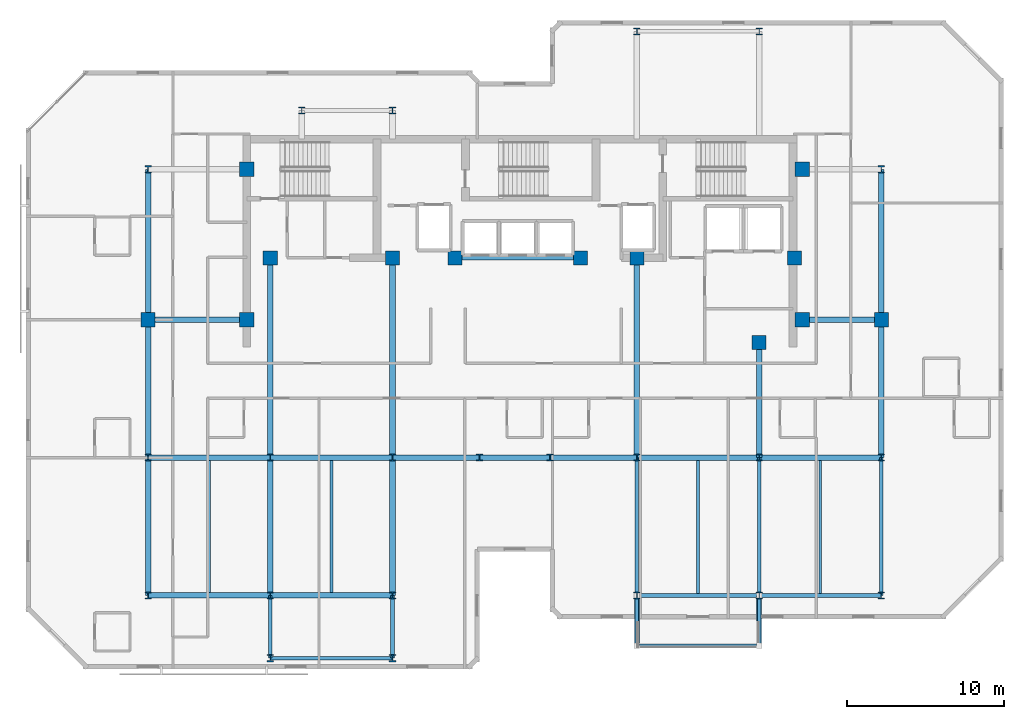
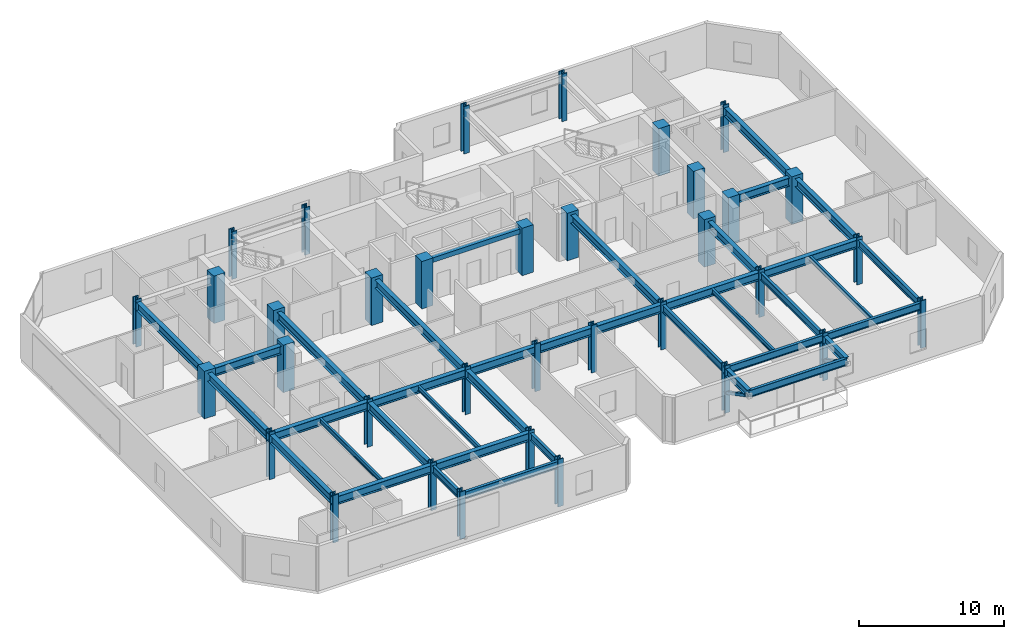
# One storey, part 1 of 10: 38 beams, 35 columns, 2 members.
"""IFC4 building model written with IfcOpenShell, lengths in metres."""

from ifc_helpers import new_model, si_unit, direction, frame, origin, origin_2d, place, context, subcontext, project, spatial, rectangle, hollow_rectangle, i_section, extrude, material, material_profile, profile_set, type_object, element, save


model = new_model("IFC4")

# Units and contexts
model_context = context("Model", 3, precision=1e-05, world=origin(), true_north=direction((0.0, 1.0)))
body_context = subcontext(model_context, "Body", "Model", "MODEL_VIEW")
ifc_project = project(units=[si_unit("LENGTHUNIT", "METRE"), si_unit("AREAUNIT", "SQUARE_METRE"), si_unit("VOLUMEUNIT", "CUBIC_METRE"), si_unit("PLANEANGLEUNIT", "RADIAN"), si_unit("MASSUNIT", "GRAM", prefix="KILO")], contexts=[model_context])

# Site, building, storey
site_placement = place(None, origin())
site = spatial("IfcSite", under=ifc_project, at=site_placement, CompositionType="ELEMENT")
building_placement = place(site_placement, origin())
building = spatial("IfcBuilding", under=site, at=building_placement, Name="Kestravale Grand Hotel", CompositionType="ELEMENT")
storey_placement = place(building_placement, frame((0.0, 0.0, 285.39990234375)))
storey = spatial("IfcBuildingStorey", under=building, at=storey_placement, Name="L71", CompositionType="ELEMENT", Elevation=285.39990234375)

# Columns
ifc_material_1 = material(Name="Concrete f'c 50 MPa", Category="concrete")
ifc_material_profile_1 = material_profile(ifc_material_1, rectangle(XDim=0.89990234375, YDim=0.89990234375, at=origin_2d()))
ifc_profile_set_1 = profile_set([ifc_material_profile_1], Name="Concrete f'c 50 MPa")
column_type_1 = type_object("IfcColumnType", Name="C-Z4-900", PredefinedType="COLUMN", material=ifc_profile_set_1)
for number, where, z_axis, x_axis, name in (
    (1, (15.60009765625, 28.800048828125, 0.0), (0.0, 0.0, 1.0), (1.0, 0.0, 0.0), "L71 column 3-E"),
    (2, (62.39990234375, 28.800048828125, 0.0), (0.0, 0.0, 1.0), (1.0, 0.0, 0.0), "L71 column 10-E"),
    (3, (21.89990234375, 28.800048828125, 0.0), (0.0, 0.0, 1.0), (1.0, 0.0, 0.0), "L71 column CW-E"),
    (4, (21.89990234375, 38.39990234375, 0.0), (0.0, 0.0, 1.0), (1.0, 0.0, 0.0), "L71 column CW-F"),
    (5, (57.35009765625, 28.800048828125, 0.0), (0.0, 0.0, 1.0), (1.0, 0.0, 0.0), "L71 column CE-E"),
    (6, (57.35009765625, 38.39990234375, 0.0), (0.0, 0.0, 1.0), (1.0, 0.0, 0.0), "L71 column CE-F"),
    (7, (23.39990234375, 32.75, 0.0), (0.0, 0.0, 1.0), (1.0, 0.0, 0.0), "L71 column 4-CS"),
    (8, (31.199951171875, 32.75, 0.0), (0.0, 0.0, 1.0), (1.0, 0.0, 0.0), "L71 column 5-CS"),
    (9, (35.199951171875, 32.75, 0.0), (0.0, 0.0, 1.0), (1.0, 0.0, 0.0), "L71 column 6C-CS"),
    (10, (43.199951171875, 32.75, 0.0), (0.0, 0.0, 1.0), (1.0, 0.0, 0.0), "L71 column 7C-CS"),
    (11, (46.800048828125, 32.75, 0.0), (0.0, 0.0, 1.0), (1.0, 0.0, 0.0), "L71 column 8-CS"),
    (12, (54.60009765625, 27.35009765625, 0.0), (0.0, 0.0, 1.0), (1.0, 0.0, 0.0), "L71 column 9-CS"),
    (13, (56.85009765625, 32.75, 0.0), (0.0, 0.0, 1.0), (1.0, 0.0, 0.0), "L71 column 9C-CS"),
):
    element("IfcColumn", number, at=place(storey_placement, frame(where, z_axis=z_axis, x_axis=x_axis)), inside=storey, type_object=column_type_1, Name=name, PredefinedType="COLUMN", context=body_context, shape_type="SweptSolid", body=[
        extrude(rectangle(XDim=0.89990234375, YDim=0.89990234375, at=origin_2d()), origin(), (0.0, 0.0, 1.0), 4.0),
    ])
ifc_material_2 = material(Name="Steel ASTM A992 Grade 50", Category="steel")
ifc_material_profile_2 = material_profile(ifc_material_2, i_section(OverallWidth=0.422119140625, OverallDepth=0.465087890625, WebThickness=0.044921875, FlangeThickness=0.072509765625, FilletRadius=0.0166015625, at=origin_2d()))
ifc_profile_set_2 = profile_set([ifc_material_profile_2], Name="Steel ASTM A992 Grade 50")
column_type_2 = type_object("IfcColumnType", Name="C-Z4-W14X398", PredefinedType="COLUMN", material=ifc_profile_set_2)
for number, where, z_axis, x_axis, name in (
    (14, (15.60009765625, 11.199951171875, 0.0), (0.0, 0.0, 1.0), (1.0, 0.0, 0.0), "L71 column 3-C"),
    (15, (15.60009765625, 20.0, 0.0), (0.0, 0.0, 1.0), (1.0, 0.0, 0.0), "L71 column 3-D"),
    (16, (15.60009765625, 38.39990234375, 0.0), (0.0, 0.0, 1.0), (1.0, 0.0, 0.0), "L71 column 3-F"),
    (17, (23.39990234375, 11.199951171875, 0.0), (0.0, 0.0, 1.0), (1.0, 0.0, 0.0), "L71 column 4-C"),
    (18, (23.39990234375, 20.0, 0.0), (0.0, 0.0, 1.0), (1.0, 0.0, 0.0), "L71 column 4-D"),
    (19, (31.199951171875, 11.199951171875, 0.0), (0.0, 0.0, 1.0), (1.0, 0.0, 0.0), "L71 column 5-C"),
    (20, (31.199951171875, 20.0, 0.0), (0.0, 0.0, 1.0), (1.0, 0.0, 0.0), "L71 column 5-D"),
    (21, (36.75, 20.0, 0.0), (0.0, 0.0, 1.0), (1.0, 0.0, 0.0), "L71 column 6-D"),
    (22, (41.25, 20.0, 0.0), (0.0, 0.0, 1.0), (1.0, 0.0, 0.0), "L71 column 7-D"),
    (23, (46.800048828125, 11.199951171875, 0.0), (0.0, 0.0, 1.0), (1.0, 0.0, 0.0), "L71 column 8-C"),
    (24, (46.800048828125, 20.0, 0.0), (0.0, 0.0, 1.0), (1.0, 0.0, 0.0), "L71 column 8-D"),
    (25, (46.800048828125, 47.199951171875, 0.0), (0.0, 0.0, 1.0), (1.0, 0.0, 0.0), "L71 column 8-G"),
    (26, (54.60009765625, 11.199951171875, 0.0), (0.0, 0.0, 1.0), (1.0, 0.0, 0.0), "L71 column 9-C"),
    (27, (54.60009765625, 20.0, 0.0), (0.0, 0.0, 1.0), (1.0, 0.0, 0.0), "L71 column 9-D"),
    (28, (54.60009765625, 47.199951171875, 0.0), (0.0, 0.0, 1.0), (1.0, 0.0, 0.0), "L71 column 9-G"),
    (29, (62.39990234375, 11.199951171875, 0.0), (0.0, 0.0, 1.0), (1.0, 0.0, 0.0), "L71 column 10-C"),
    (30, (62.39990234375, 20.0, 0.0), (0.0, 0.0, 1.0), (1.0, 0.0, 0.0), "L71 column 10-D"),
    (31, (62.39990234375, 38.39990234375, 0.0), (0.0, 0.0, 1.0), (1.0, 0.0, 0.0), "L71 column 10-F"),
    (32, (23.39990234375, 7.199951171875, 0.0), (0.0, 0.0, 1.0), (1.0, 0.0, 0.0), "L71 column 4-BS"),
    (33, (31.199951171875, 7.199951171875, 0.0), (0.0, 0.0, 1.0), (1.0, 0.0, 0.0), "L71 column 5-BS"),
    (34, (25.39990234375, 42.14990234375, 0.0), (0.0, 0.0, 1.0), (1.0, 0.0, 0.0), "L71 column 4-FN"),
    (35, (31.199951171875, 42.14990234375, 0.0), (0.0, 0.0, 1.0), (1.0, 0.0, 0.0), "L71 column 5-FN"),
):
    element("IfcColumn", number, at=place(storey_placement, frame(where, z_axis=z_axis, x_axis=x_axis)), inside=storey, type_object=column_type_2, Name=name, PredefinedType="COLUMN", context=body_context, shape_type="SweptSolid", body=[
        extrude(i_section(OverallWidth=0.422119140625, OverallDepth=0.465087890625, WebThickness=0.044921875, FlangeThickness=0.072509765625, FilletRadius=0.0166015625, at=origin_2d()), origin(), (0.0, 0.0, 1.0), 4.0),
    ])

# Beams
ifc_material_3 = material(Name="Steel ASTM A992 Grade 50", Category="steel")
ifc_material_profile_3 = material_profile(ifc_material_3, i_section(OverallWidth=0.177978515625, OverallDepth=0.404052734375, WebThickness=0.007568359375, FlangeThickness=0.010986328125, FilletRadius=0.01416015625, at=origin_2d()))
ifc_profile_set_3 = profile_set([ifc_material_profile_3], Name="Steel ASTM A992 Grade 50")
beam_type_1 = type_object("IfcBeamType", Name="B-FLR-JST16", PredefinedType="JOIST", material=ifc_profile_set_3)
for number, where, z_axis, x_axis, name in (
    (36, (19.5, 11.3779296875, 3.55810546875), (0.0, 1.0, 0.0), (-1.0, 0.0, 0.0), "L71 floor joist 3-4/C-D #1"),
    (37, (27.300048828125, 11.3779296875, 3.55810546875), (0.0, 1.0, 0.0), (-1.0, 0.0, 0.0), "L71 floor joist 4-5/C-D #1"),
):
    element("IfcBeam", number, at=place(storey_placement, frame(where, z_axis=z_axis, x_axis=x_axis)), inside=storey, type_object=beam_type_1, Name=name, PredefinedType="JOIST", context=body_context, shape_type="SweptSolid", body=[
        extrude(i_section(OverallWidth=0.177978515625, OverallDepth=0.404052734375, WebThickness=0.007568359375, FlangeThickness=0.010986328125, FilletRadius=0.01416015625, at=origin_2d()), origin(), (0.0, 0.0, 1.0), 8.444091796875),
    ])
for number, where, z_axis, x_axis, name in (
    (38, (50.699951171875, 11.314453125, 3.55810546875), (0.0, 1.0, 0.0), (-1.0, 0.0, 0.0), "L71 floor joist 8-9/C-D #1"),
    (39, (58.5, 11.314453125, 3.55810546875), (0.0, 1.0, 0.0), (-1.0, 0.0, 0.0), "L71 floor joist 9-10/C-D #1"),
):
    element("IfcBeam", number, at=place(storey_placement, frame(where, z_axis=z_axis, x_axis=x_axis)), inside=storey, type_object=beam_type_1, Name=name, PredefinedType="JOIST", context=body_context, shape_type="SweptSolid", body=[
        extrude(i_section(OverallWidth=0.177978515625, OverallDepth=0.404052734375, WebThickness=0.007568359375, FlangeThickness=0.010986328125, FilletRadius=0.01416015625, at=origin_2d()), origin(), (0.0, 0.0, 1.0), 8.507568359375),
    ])
ifc_material_4 = material(Name="Concrete f'c 45 MPa", Category="concrete")
ifc_material_profile_4 = material_profile(ifc_material_4, rectangle(XDim=0.300048828125, YDim=0.39990234375, at=origin_2d()))
ifc_profile_set_4 = profile_set([ifc_material_profile_4], Name="Concrete f'c 45 MPa")
beam_type_2 = type_object("IfcBeamType", Name="B-FLR-LNT400", PredefinedType="LINTEL", material=ifc_profile_set_4)
beam_1_placement = place(storey_placement, frame((35.199951171875, 32.75, 3.56005859375), z_axis=(1.0, 0.0, 0.0), x_axis=(0.0, 1.0, 0.0)))
element("IfcBeam", 40, at=beam_1_placement, inside=storey, type_object=beam_type_2, Name="L71 core portal header lintel", PredefinedType="LINTEL", context=body_context, shape_type="SweptSolid", body=[
    extrude(rectangle(XDim=0.300048828125, YDim=0.39990234375, at=origin_2d()), origin(), (0.0, 0.0, 1.0), 8.0),
])
ifc_material_5 = material(Name="Steel ASTM A992 Grade 50", Category="steel")
ifc_material_profile_5 = material_profile(ifc_material_5, i_section(OverallWidth=0.324951171875, OverallDepth=0.612060546875, WebThickness=0.0126953125, FlangeThickness=0.01904296875, FilletRadius=0.018798828125, at=origin_2d()))
ifc_profile_set_5 = profile_set([ifc_material_profile_5], Name="Steel ASTM A992 Grade 50")
beam_type_3 = type_object("IfcBeamType", Name="B-FLR-W24A", PredefinedType="SPANDREL", material=ifc_profile_set_5)
for number, where, z_axis, x_axis, name in (
    (41, (46.800048828125, 11.199951171875, 3.424072265625), (0.0, -1.0, 0.0), (1.0, 0.0, 0.0), "L72 terrace cantilever beam 1"),
    (42, (54.60009765625, 11.199951171875, 3.424072265625), (0.0, -1.0, 0.0), (1.0, 0.0, 0.0), "L72 terrace cantilever beam 2"),
):
    element("IfcBeam", number, at=place(storey_placement, frame(where, z_axis=z_axis, x_axis=x_axis)), inside=storey, type_object=beam_type_3, Name=name, PredefinedType="SPANDREL", context=body_context, shape_type="SweptSolid", body=[
        extrude(i_section(OverallWidth=0.324951171875, OverallDepth=0.612060546875, WebThickness=0.0126953125, FlangeThickness=0.01904296875, FilletRadius=0.018798828125, at=origin_2d()), origin(), (0.0, 0.0, 1.0), 3.199951171875),
    ])
ifc_material_6 = material(Name="Steel ASTM A992 Grade 50", Category="steel")
ifc_material_profile_6 = material_profile(ifc_material_6, i_section(OverallWidth=0.22900390625, OverallDepth=0.612060546875, WebThickness=0.011962890625, FlangeThickness=0.01953125, FilletRadius=0.019287109375, at=origin_2d()))
ifc_profile_set_6 = profile_set([ifc_material_profile_6], Name="Steel ASTM A992 Grade 50")
beam_type_4 = type_object("IfcBeamType", Name="B-FLR-W24B", PredefinedType="SPANDREL", material=ifc_profile_set_6)
beam_2_placement = place(storey_placement, frame((46.800048828125, 11.199951171875, 3.4541015625), z_axis=(1.0, 0.0, 0.0), x_axis=(0.0, 1.0, 0.0)))
element("IfcBeam", 43, at=beam_2_placement, inside=storey, type_object=beam_type_4, Name="L71 spandrel C:8-9", PredefinedType="SPANDREL", context=body_context, shape_type="SweptSolid", body=[
    extrude(i_section(OverallWidth=0.22900390625, OverallDepth=0.612060546875, WebThickness=0.011962890625, FlangeThickness=0.01953125, FilletRadius=0.019287109375, at=origin_2d()), origin(), (0.0, 0.0, 1.0), 7.800048828125),
])
beam_3_placement = place(storey_placement, frame((54.60009765625, 11.199951171875, 3.4541015625), z_axis=(1.0, 0.0, 0.0), x_axis=(0.0, 1.0, 0.0)))
element("IfcBeam", 44, at=beam_3_placement, inside=storey, type_object=beam_type_4, Name="L71 spandrel C:9-10", PredefinedType="SPANDREL", context=body_context, shape_type="SweptSolid", body=[
    extrude(i_section(OverallWidth=0.22900390625, OverallDepth=0.612060546875, WebThickness=0.011962890625, FlangeThickness=0.01953125, FilletRadius=0.019287109375, at=origin_2d()), origin(), (0.0, 0.0, 1.0), 7.7998046875),
])
beam_4_placement = place(storey_placement, frame((23.39990234375, 7.199951171875, 3.4541015625), z_axis=(1.0, 0.0, 0.0), x_axis=(0.0, 1.0, 0.0)))
element("IfcBeam", 45, at=beam_4_placement, inside=storey, type_object=beam_type_4, Name="L71 perimeter tie spandrel BS:4-5", PredefinedType="SPANDREL", context=body_context, shape_type="SweptSolid", body=[
    extrude(i_section(OverallWidth=0.22900390625, OverallDepth=0.612060546875, WebThickness=0.011962890625, FlangeThickness=0.01953125, FilletRadius=0.019287109375, at=origin_2d()), origin(), (0.0, 0.0, 1.0), 7.800048828125),
])
for number, where, z_axis, x_axis, name in (
    (46, (23.39990234375, 7.199951171875, 3.4541015625), (0.0, 1.0, 0.0), (-1.0, 0.0, 0.0), "L71 spandrel 4:BS-C"),
    (47, (31.199951171875, 7.199951171875, 3.4541015625), (0.0, 1.0, 0.0), (-1.0, 0.0, 0.0), "L71 spandrel 5:BS-C"),
):
    element("IfcBeam", number, at=place(storey_placement, frame(where, z_axis=z_axis, x_axis=x_axis)), inside=storey, type_object=beam_type_4, Name=name, PredefinedType="SPANDREL", context=body_context, shape_type="SweptSolid", body=[
        extrude(i_section(OverallWidth=0.22900390625, OverallDepth=0.612060546875, WebThickness=0.011962890625, FlangeThickness=0.01953125, FilletRadius=0.019287109375, at=origin_2d()), origin(), (0.0, 0.0, 1.0), 4.0),
    ])
for number, where, z_axis, x_axis, name in (
    (48, (46.800048828125, 11.199951171875, 3.4541015625), (0.0, 1.0, 0.0), (-1.0, 0.0, 0.0), "L71 spandrel 8:C-D"),
    (49, (54.60009765625, 11.199951171875, 3.4541015625), (0.0, 1.0, 0.0), (-1.0, 0.0, 0.0), "L71 spandrel 9:C-D"),
    (50, (62.39990234375, 11.199951171875, 3.4541015625), (0.0, 1.0, 0.0), (-1.0, 0.0, 0.0), "L71 spandrel 10:C-D"),
):
    element("IfcBeam", number, at=place(storey_placement, frame(where, z_axis=z_axis, x_axis=x_axis)), inside=storey, type_object=beam_type_4, Name=name, PredefinedType="SPANDREL", context=body_context, shape_type="SweptSolid", body=[
        extrude(i_section(OverallWidth=0.22900390625, OverallDepth=0.612060546875, WebThickness=0.011962890625, FlangeThickness=0.01953125, FilletRadius=0.019287109375, at=origin_2d()), origin(), (0.0, 0.0, 1.0), 8.800048828125),
    ])
beam_5_placement = place(storey_placement, frame((46.800048828125, 8.0, 3.424072265625), z_axis=(1.0, 0.0, 0.0), x_axis=(0.0, 1.0, 0.0)))
element("IfcBeam", 51, at=beam_5_placement, inside=storey, type_object=beam_type_4, Name="L72 terrace edge spandrel", PredefinedType="SPANDREL", context=body_context, shape_type="SweptSolid", body=[
    extrude(i_section(OverallWidth=0.22900390625, OverallDepth=0.612060546875, WebThickness=0.011962890625, FlangeThickness=0.01953125, FilletRadius=0.019287109375, at=origin_2d()), origin(), (0.0, 0.0, 1.0), 7.800048828125),
])
ifc_material_7 = material(Name="Steel ASTM A992 Grade 50", Category="steel")
ifc_material_profile_7 = material_profile(ifc_material_7, i_section(OverallWidth=0.35595703125, OverallDepth=0.696044921875, WebThickness=0.015380859375, FlangeThickness=0.02490234375, FilletRadius=0.021240234375, at=origin_2d()))
ifc_profile_set_7 = profile_set([ifc_material_profile_7], Name="Steel ASTM A992 Grade 50")
beam_type_5 = type_object("IfcBeamType", Name="B-GRD-W27", PredefinedType="BEAM", material=ifc_profile_set_7)
beam_6_placement = place(storey_placement, frame((15.60009765625, 11.199951171875, 3.412109375), z_axis=(1.0, 0.0, 0.0), x_axis=(0.0, 1.0, 0.0)))
element("IfcBeam", 52, at=beam_6_placement, inside=storey, type_object=beam_type_5, Name="L71 girder C:3-4", PredefinedType="BEAM", context=body_context, shape_type="SweptSolid", body=[
    extrude(i_section(OverallWidth=0.35595703125, OverallDepth=0.696044921875, WebThickness=0.015380859375, FlangeThickness=0.02490234375, FilletRadius=0.021240234375, at=origin_2d()), origin(), (0.0, 0.0, 1.0), 7.7998046875),
])
beam_7_placement = place(storey_placement, frame((23.39990234375, 11.199951171875, 3.412109375), z_axis=(1.0, 0.0, 0.0), x_axis=(0.0, 1.0, 0.0)))
element("IfcBeam", 53, at=beam_7_placement, inside=storey, type_object=beam_type_5, Name="L71 girder C:4-5", PredefinedType="BEAM", context=body_context, shape_type="SweptSolid", body=[
    extrude(i_section(OverallWidth=0.35595703125, OverallDepth=0.696044921875, WebThickness=0.015380859375, FlangeThickness=0.02490234375, FilletRadius=0.021240234375, at=origin_2d()), origin(), (0.0, 0.0, 1.0), 7.800048828125),
])
beam_8_placement = place(storey_placement, frame((15.60009765625, 20.0, 3.412109375), z_axis=(1.0, 0.0, 0.0), x_axis=(0.0, 1.0, 0.0)))
element("IfcBeam", 54, at=beam_8_placement, inside=storey, type_object=beam_type_5, Name="L71 girder D:3-4", PredefinedType="BEAM", context=body_context, shape_type="SweptSolid", body=[
    extrude(i_section(OverallWidth=0.35595703125, OverallDepth=0.696044921875, WebThickness=0.015380859375, FlangeThickness=0.02490234375, FilletRadius=0.021240234375, at=origin_2d()), origin(), (0.0, 0.0, 1.0), 7.7998046875),
])
beam_9_placement = place(storey_placement, frame((23.39990234375, 20.0, 3.412109375), z_axis=(1.0, 0.0, 0.0), x_axis=(0.0, 1.0, 0.0)))
element("IfcBeam", 55, at=beam_9_placement, inside=storey, type_object=beam_type_5, Name="L71 girder D:4-5", PredefinedType="BEAM", context=body_context, shape_type="SweptSolid", body=[
    extrude(i_section(OverallWidth=0.35595703125, OverallDepth=0.696044921875, WebThickness=0.015380859375, FlangeThickness=0.02490234375, FilletRadius=0.021240234375, at=origin_2d()), origin(), (0.0, 0.0, 1.0), 7.800048828125),
])
beam_10_placement = place(storey_placement, frame((31.199951171875, 20.0, 3.412109375), z_axis=(1.0, 0.0, 0.0), x_axis=(0.0, 1.0, 0.0)))
element("IfcBeam", 56, at=beam_10_placement, inside=storey, type_object=beam_type_5, Name="L71 girder D:5-6", PredefinedType="BEAM", context=body_context, shape_type="SweptSolid", body=[
    extrude(i_section(OverallWidth=0.35595703125, OverallDepth=0.696044921875, WebThickness=0.015380859375, FlangeThickness=0.02490234375, FilletRadius=0.021240234375, at=origin_2d()), origin(), (0.0, 0.0, 1.0), 5.550048828125),
])
beam_11_placement = place(storey_placement, frame((36.75, 20.0, 3.412109375), z_axis=(1.0, 0.0, 0.0), x_axis=(0.0, 1.0, 0.0)))
element("IfcBeam", 57, at=beam_11_placement, inside=storey, type_object=beam_type_5, Name="L71 girder D:6-7", PredefinedType="BEAM", context=body_context, shape_type="SweptSolid", body=[
    extrude(i_section(OverallWidth=0.35595703125, OverallDepth=0.696044921875, WebThickness=0.015380859375, FlangeThickness=0.02490234375, FilletRadius=0.021240234375, at=origin_2d()), origin(), (0.0, 0.0, 1.0), 4.5),
])
beam_12_placement = place(storey_placement, frame((41.25, 20.0, 3.412109375), z_axis=(1.0, 0.0, 0.0), x_axis=(0.0, 1.0, 0.0)))
element("IfcBeam", 58, at=beam_12_placement, inside=storey, type_object=beam_type_5, Name="L71 girder D:7-8", PredefinedType="BEAM", context=body_context, shape_type="SweptSolid", body=[
    extrude(i_section(OverallWidth=0.35595703125, OverallDepth=0.696044921875, WebThickness=0.015380859375, FlangeThickness=0.02490234375, FilletRadius=0.021240234375, at=origin_2d()), origin(), (0.0, 0.0, 1.0), 5.550048828125),
])
beam_13_placement = place(storey_placement, frame((46.800048828125, 20.0, 3.412109375), z_axis=(1.0, 0.0, 0.0), x_axis=(0.0, 1.0, 0.0)))
element("IfcBeam", 59, at=beam_13_placement, inside=storey, type_object=beam_type_5, Name="L71 girder D:8-9", PredefinedType="BEAM", context=body_context, shape_type="SweptSolid", body=[
    extrude(i_section(OverallWidth=0.35595703125, OverallDepth=0.696044921875, WebThickness=0.015380859375, FlangeThickness=0.02490234375, FilletRadius=0.021240234375, at=origin_2d()), origin(), (0.0, 0.0, 1.0), 7.800048828125),
])
beam_14_placement = place(storey_placement, frame((54.60009765625, 20.0, 3.412109375), z_axis=(1.0, 0.0, 0.0), x_axis=(0.0, 1.0, 0.0)))
element("IfcBeam", 60, at=beam_14_placement, inside=storey, type_object=beam_type_5, Name="L71 girder D:9-10", PredefinedType="BEAM", context=body_context, shape_type="SweptSolid", body=[
    extrude(i_section(OverallWidth=0.35595703125, OverallDepth=0.696044921875, WebThickness=0.015380859375, FlangeThickness=0.02490234375, FilletRadius=0.021240234375, at=origin_2d()), origin(), (0.0, 0.0, 1.0), 7.7998046875),
])
beam_15_placement = place(storey_placement, frame((15.60009765625, 28.800048828125, 3.412109375), z_axis=(1.0, 0.0, 0.0), x_axis=(0.0, 1.0, 0.0)))
element("IfcBeam", 61, at=beam_15_placement, inside=storey, type_object=beam_type_5, Name="L71 girder E:3-CW", PredefinedType="BEAM", context=body_context, shape_type="SweptSolid", body=[
    extrude(i_section(OverallWidth=0.35595703125, OverallDepth=0.696044921875, WebThickness=0.015380859375, FlangeThickness=0.02490234375, FilletRadius=0.021240234375, at=origin_2d()), origin(), (0.0, 0.0, 1.0), 6.2998046875),
])
beam_16_placement = place(storey_placement, frame((57.35009765625, 28.800048828125, 3.412109375), z_axis=(1.0, 0.0, 0.0), x_axis=(0.0, 1.0, 0.0)))
element("IfcBeam", 62, at=beam_16_placement, inside=storey, type_object=beam_type_5, Name="L71 girder E:CE-10", PredefinedType="BEAM", context=body_context, shape_type="SweptSolid", body=[
    extrude(i_section(OverallWidth=0.35595703125, OverallDepth=0.696044921875, WebThickness=0.015380859375, FlangeThickness=0.02490234375, FilletRadius=0.021240234375, at=origin_2d()), origin(), (0.0, 0.0, 1.0), 5.0498046875),
])
for number, where, z_axis, x_axis, name in (
    (63, (15.60009765625, 11.199951171875, 3.412109375), (0.0, 1.0, 0.0), (-1.0, 0.0, 0.0), "L71 girder 3:C-D"),
    (64, (15.60009765625, 20.0, 3.412109375), (0.0, 1.0, 0.0), (-1.0, 0.0, 0.0), "L71 girder 3:D-E"),
):
    element("IfcBeam", number, at=place(storey_placement, frame(where, z_axis=z_axis, x_axis=x_axis)), inside=storey, type_object=beam_type_5, Name=name, PredefinedType="BEAM", context=body_context, shape_type="SweptSolid", body=[
        extrude(i_section(OverallWidth=0.35595703125, OverallDepth=0.696044921875, WebThickness=0.015380859375, FlangeThickness=0.02490234375, FilletRadius=0.021240234375, at=origin_2d()), origin(), (0.0, 0.0, 1.0), 8.800048828125),
    ])
beam_17_placement = place(storey_placement, frame((15.60009765625, 28.800048828125, 3.412109375), z_axis=(0.0, 1.0, 0.0), x_axis=(-1.0, 0.0, 0.0)))
element("IfcBeam", 65, at=beam_17_placement, inside=storey, type_object=beam_type_5, Name="L71 girder 3:E-F", PredefinedType="BEAM", context=body_context, shape_type="SweptSolid", body=[
    extrude(i_section(OverallWidth=0.35595703125, OverallDepth=0.696044921875, WebThickness=0.015380859375, FlangeThickness=0.02490234375, FilletRadius=0.021240234375, at=origin_2d()), origin(), (0.0, 0.0, 1.0), 9.599853515625),
])
beam_18_placement = place(storey_placement, frame((23.39990234375, 11.199951171875, 3.412109375), z_axis=(0.0, 1.0, 0.0), x_axis=(-1.0, 0.0, 0.0)))
element("IfcBeam", 66, at=beam_18_placement, inside=storey, type_object=beam_type_5, Name="L71 girder 4:C-D", PredefinedType="BEAM", context=body_context, shape_type="SweptSolid", body=[
    extrude(i_section(OverallWidth=0.35595703125, OverallDepth=0.696044921875, WebThickness=0.015380859375, FlangeThickness=0.02490234375, FilletRadius=0.021240234375, at=origin_2d()), origin(), (0.0, 0.0, 1.0), 8.800048828125),
])
beam_19_placement = place(storey_placement, frame((23.39990234375, 20.0, 3.412109375), z_axis=(0.0, 1.0, 0.0), x_axis=(-1.0, 0.0, 0.0)))
element("IfcBeam", 67, at=beam_19_placement, inside=storey, type_object=beam_type_5, Name="L71 girder 4:D-CS", PredefinedType="BEAM", context=body_context, shape_type="SweptSolid", body=[
    extrude(i_section(OverallWidth=0.35595703125, OverallDepth=0.696044921875, WebThickness=0.015380859375, FlangeThickness=0.02490234375, FilletRadius=0.021240234375, at=origin_2d()), origin(), (0.0, 0.0, 1.0), 12.75),
])
beam_20_placement = place(storey_placement, frame((31.199951171875, 11.199951171875, 3.412109375), z_axis=(0.0, 1.0, 0.0), x_axis=(-1.0, 0.0, 0.0)))
element("IfcBeam", 68, at=beam_20_placement, inside=storey, type_object=beam_type_5, Name="L71 girder 5:C-D", PredefinedType="BEAM", context=body_context, shape_type="SweptSolid", body=[
    extrude(i_section(OverallWidth=0.35595703125, OverallDepth=0.696044921875, WebThickness=0.015380859375, FlangeThickness=0.02490234375, FilletRadius=0.021240234375, at=origin_2d()), origin(), (0.0, 0.0, 1.0), 8.800048828125),
])
for number, where, z_axis, x_axis, name in (
    (69, (31.199951171875, 20.0, 3.412109375), (0.0, 1.0, 0.0), (-1.0, 0.0, 0.0), "L71 girder 5:D-CS"),
    (70, (46.800048828125, 20.0, 3.412109375), (0.0, 1.0, 0.0), (-1.0, 0.0, 0.0), "L71 girder 8:D-CS"),
):
    element("IfcBeam", number, at=place(storey_placement, frame(where, z_axis=z_axis, x_axis=x_axis)), inside=storey, type_object=beam_type_5, Name=name, PredefinedType="BEAM", context=body_context, shape_type="SweptSolid", body=[
        extrude(i_section(OverallWidth=0.35595703125, OverallDepth=0.696044921875, WebThickness=0.015380859375, FlangeThickness=0.02490234375, FilletRadius=0.021240234375, at=origin_2d()), origin(), (0.0, 0.0, 1.0), 12.75),
    ])
beam_21_placement = place(storey_placement, frame((54.60009765625, 20.0, 3.412109375), z_axis=(0.0, 1.0, 0.0), x_axis=(-1.0, 0.0, 0.0)))
element("IfcBeam", 71, at=beam_21_placement, inside=storey, type_object=beam_type_5, Name="L71 girder 9:D-CS", PredefinedType="BEAM", context=body_context, shape_type="SweptSolid", body=[
    extrude(i_section(OverallWidth=0.35595703125, OverallDepth=0.696044921875, WebThickness=0.015380859375, FlangeThickness=0.02490234375, FilletRadius=0.021240234375, at=origin_2d()), origin(), (0.0, 0.0, 1.0), 7.35009765625),
])
beam_22_placement = place(storey_placement, frame((62.39990234375, 20.0, 3.412109375), z_axis=(0.0, 1.0, 0.0), x_axis=(-1.0, 0.0, 0.0)))
element("IfcBeam", 72, at=beam_22_placement, inside=storey, type_object=beam_type_5, Name="L71 girder 10:D-E", PredefinedType="BEAM", context=body_context, shape_type="SweptSolid", body=[
    extrude(i_section(OverallWidth=0.35595703125, OverallDepth=0.696044921875, WebThickness=0.015380859375, FlangeThickness=0.02490234375, FilletRadius=0.021240234375, at=origin_2d()), origin(), (0.0, 0.0, 1.0), 8.800048828125),
])
beam_23_placement = place(storey_placement, frame((62.39990234375, 28.800048828125, 3.412109375), z_axis=(0.0, 1.0, 0.0), x_axis=(-1.0, 0.0, 0.0)))
element("IfcBeam", 73, at=beam_23_placement, inside=storey, type_object=beam_type_5, Name="L71 girder 10:E-F", PredefinedType="BEAM", context=body_context, shape_type="SweptSolid", body=[
    extrude(i_section(OverallWidth=0.35595703125, OverallDepth=0.696044921875, WebThickness=0.015380859375, FlangeThickness=0.02490234375, FilletRadius=0.021240234375, at=origin_2d()), origin(), (0.0, 0.0, 1.0), 9.599853515625),
])

# Members
ifc_material_8 = material(Name="Steel ASTM A500 Grade C", Category="steel")
ifc_material_profile_8 = material_profile(ifc_material_8, hollow_rectangle(XDim=0.25, YDim=0.25, WallThickness=0.011962890625, InnerFilletRadius=0.011962890625, OuterFilletRadius=0.02392578125, at=origin_2d()))
ifc_profile_set_8 = profile_set([ifc_material_profile_8], Name="Steel ASTM A500 Grade C")
member_type = type_object("IfcMemberType", Name="M-BLT-STR250", PredefinedType="STRUT", material=ifc_profile_set_8)
for number, where, z_axis, x_axis, name in (
    (74, (46.800048828125, 11.199951171875, 1.57421875), (0.0, -0.883118336548, 0.46915029964), (1.0, 0.0, 0.0), "L72 terrace knee-brace strut 1"),
    (75, (54.60009765625, 11.199951171875, 1.57421875), (0.0, -0.883118336548, 0.46915029964), (1.0, 0.0, 0.0), "L72 terrace knee-brace strut 2"),
):
    element("IfcMember", number, at=place(storey_placement, frame(where, z_axis=z_axis, x_axis=x_axis)), inside=storey, type_object=member_type, Name=name, PredefinedType="STRUT", context=body_context, shape_type="SweptSolid", body=[
        extrude(hollow_rectangle(XDim=0.25, YDim=0.25, WallThickness=0.011962890625, InnerFilletRadius=0.011962890625, OuterFilletRadius=0.02392578125, at=origin_2d()), origin(), (0.0, 0.0, 1.0), 3.62353515625),
    ])

save(model, "model.ifc")
